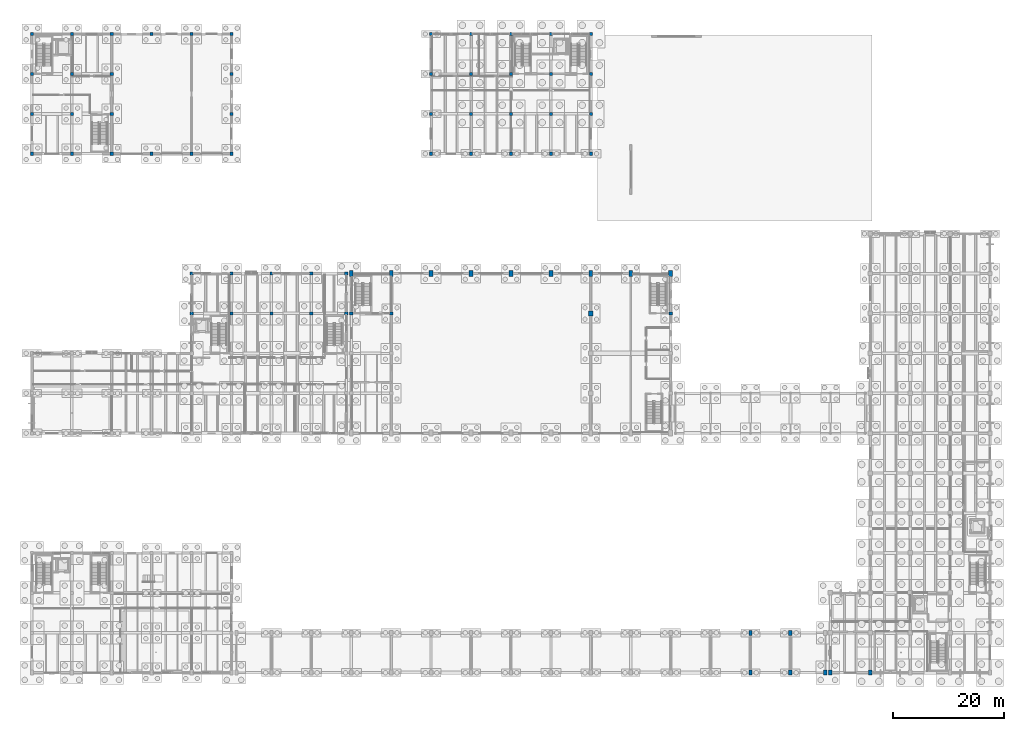
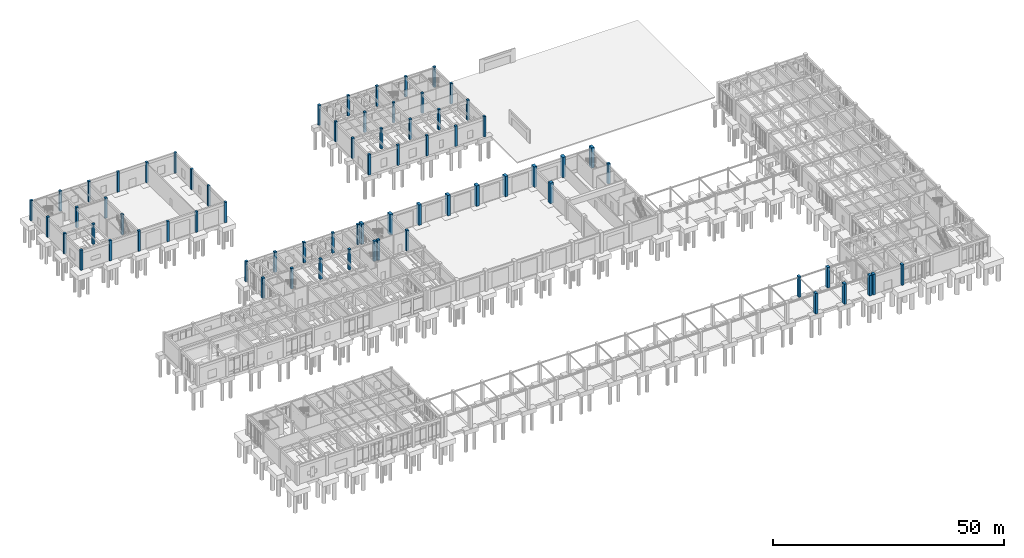
# One storey, part 13 of 93: 70 columns.
"""IFC4 building model written with IfcOpenShell, lengths in metres."""

from ifc_helpers import new_model, si_unit, direction, frame, origin, origin_2d, place, context, subcontext, project, spatial, rectangle, extrude, material, material_profile, profile_set, type_object, element, save


model = new_model("IFC4")

# Units and contexts
model_context = context("Model", 3, precision=1e-05, world=origin(), true_north=direction((0.0, 1.0)))
body_context = subcontext(model_context, "Body", "Model", "MODEL_VIEW")
ifc_project = project(units=[si_unit("LENGTHUNIT", "METRE"), si_unit("AREAUNIT", "SQUARE_METRE"), si_unit("VOLUMEUNIT", "CUBIC_METRE"), si_unit("PLANEANGLEUNIT", "RADIAN"), si_unit("MASSUNIT", "GRAM", prefix="KILO")], contexts=[model_context])

# Site, building, storey
site_placement = place(None, origin())
site = spatial("IfcSite", under=ifc_project, at=site_placement, CompositionType="ELEMENT")
building_placement = place(site_placement, origin())
building = spatial("IfcBuilding", under=site, at=building_placement, Name="Koriwan Promenade Central Fire Station", CompositionType="ELEMENT")
storey_placement = place(building_placement, origin())
storey = spatial("IfcBuildingStorey", under=building, at=storey_placement, Name="L00", CompositionType="ELEMENT", Elevation=0.0)

# Columns
ifc_material = material(Name="Concrete C40/50", Category="concrete")
ifc_material_profile_1 = material_profile(ifc_material, rectangle(XDim=0.550048828125, YDim=0.550048828125, at=origin_2d()), Name="RC-COL-550x550")
ifc_profile_set_1 = profile_set([ifc_material_profile_1], Name="Concrete C40/50")
column_type_1 = type_object("IfcColumnType", Name="Column_RC-COL-550x550", PredefinedType="COLUMN", material=ifc_profile_set_1)
for number, where, z_axis, x_axis, name in (
    (1, (72.0, 93.60009765625, 0.0), (0.0, 0.0, 1.0), (1.0, 0.0, 0.0), "V2 L00 column (72.0, 93.6)"),
    (2, (72.0, 100.800048828125, 0.0), (0.0, 0.0, 1.0), (1.0, 0.0, 0.0), "V2 L00 column (72.0, 100.8)"),
    (3, (72.0, 108.0, 0.0), (0.0, 0.0, 1.0), (1.0, 0.0, 0.0), "V2 L00 column (72.0, 108.0)"),
    (4, (72.0, 115.199951171875, 0.0), (0.0, 0.0, 1.0), (1.0, 0.0, 0.0), "V2 L00 column (72.0, 115.2)"),
    (5, (79.199951171875, 93.60009765625, 0.0), (0.0, 0.0, 1.0), (1.0, 0.0, 0.0), "V2 L00 column (79.2, 93.6)"),
    (6, (79.199951171875, 100.800048828125, 0.0), (0.0, 0.0, 1.0), (1.0, 0.0, 0.0), "V2 L00 column (79.2, 100.8)"),
    (7, (79.199951171875, 108.0, 0.0), (0.0, 0.0, 1.0), (1.0, 0.0, 0.0), "V2 L00 column (79.2, 108.0)"),
    (8, (79.199951171875, 115.199951171875, 0.0), (0.0, 0.0, 1.0), (1.0, 0.0, 0.0), "V2 L00 column (79.2, 115.2)"),
    (9, (86.39990234375, 93.60009765625, 0.0), (0.0, 0.0, 1.0), (1.0, 0.0, 0.0), "V2 L00 column (86.4, 93.6)"),
    (10, (86.39990234375, 100.800048828125, 0.0), (0.0, 0.0, 1.0), (1.0, 0.0, 0.0), "V2 L00 column (86.4, 100.8)"),
    (11, (86.39990234375, 108.0, 0.0), (0.0, 0.0, 1.0), (1.0, 0.0, 0.0), "V2 L00 column (86.4, 108.0)"),
    (12, (86.39990234375, 115.199951171875, 0.0), (0.0, 0.0, 1.0), (1.0, 0.0, 0.0), "V2 L00 column (86.4, 115.2)"),
    (13, (93.60009765625, 93.60009765625, 0.0), (0.0, 0.0, 1.0), (1.0, 0.0, 0.0), "V2 L00 column (93.6, 93.6)"),
    (14, (93.60009765625, 100.800048828125, 0.0), (0.0, 0.0, 1.0), (1.0, 0.0, 0.0), "V2 L00 column (93.6, 100.8)"),
    (15, (93.60009765625, 108.0, 0.0), (0.0, 0.0, 1.0), (1.0, 0.0, 0.0), "V2 L00 column (93.6, 108.0)"),
    (16, (93.60009765625, 115.199951171875, 0.0), (0.0, 0.0, 1.0), (1.0, 0.0, 0.0), "V2 L00 column (93.6, 115.2)"),
    (17, (100.800048828125, 93.60009765625, 0.0), (0.0, 0.0, 1.0), (1.0, 0.0, 0.0), "V2 L00 column (100.8, 93.6)"),
    (18, (100.800048828125, 100.800048828125, 0.0), (0.0, 0.0, 1.0), (1.0, 0.0, 0.0), "V2 L00 column (100.8, 100.8)"),
    (19, (100.800048828125, 108.0, 0.0), (0.0, 0.0, 1.0), (1.0, 0.0, 0.0), "V2 L00 column (100.8, 108.0)"),
    (20, (100.800048828125, 115.199951171875, 0.0), (0.0, 0.0, 1.0), (1.0, 0.0, 0.0), "V2 L00 column (100.8, 115.2)"),
    (21, (0.0, 93.60009765625, 0.0), (0.0, 0.0, 1.0), (1.0, 0.0, 0.0), "V6 L00 column (0.0, 93.6)"),
    (22, (0.0, 100.800048828125, 0.0), (0.0, 0.0, 1.0), (1.0, 0.0, 0.0), "V6 L00 column (0.0, 100.8)"),
    (23, (0.0, 108.0, 0.0), (0.0, 0.0, 1.0), (1.0, 0.0, 0.0), "V6 L00 column (0.0, 108.0)"),
    (24, (0.0, 115.199951171875, 0.0), (0.0, 0.0, 1.0), (1.0, 0.0, 0.0), "V6 L00 column (0.0, 115.2)"),
    (25, (7.199951171875, 93.60009765625, 0.0), (0.0, 0.0, 1.0), (1.0, 0.0, 0.0), "V6 L00 column (7.2, 93.6)"),
    (26, (7.199951171875, 100.800048828125, 0.0), (0.0, 0.0, 1.0), (1.0, 0.0, 0.0), "V6 L00 column (7.2, 100.8)"),
    (27, (7.199951171875, 108.0, 0.0), (0.0, 0.0, 1.0), (1.0, 0.0, 0.0), "V6 L00 column (7.2, 108.0)"),
    (28, (7.199951171875, 115.199951171875, 0.0), (0.0, 0.0, 1.0), (1.0, 0.0, 0.0), "V6 L00 column (7.2, 115.2)"),
    (29, (14.39990234375, 93.60009765625, 0.0), (0.0, 0.0, 1.0), (1.0, 0.0, 0.0), "V6 L00 column (14.4, 93.6)"),
    (30, (14.39990234375, 100.800048828125, 0.0), (0.0, 0.0, 1.0), (1.0, 0.0, 0.0), "V6 L00 column (14.4, 100.8)"),
    (31, (14.39990234375, 108.0, 0.0), (0.0, 0.0, 1.0), (1.0, 0.0, 0.0), "V6 L00 column (14.4, 108.0)"),
    (32, (14.39990234375, 115.199951171875, 0.0), (0.0, 0.0, 1.0), (1.0, 0.0, 0.0), "V6 L00 column (14.4, 115.2)"),
    (33, (21.60009765625, 93.60009765625, 0.0), (0.0, 0.0, 1.0), (1.0, 0.0, 0.0), "V6 L00 column (21.6, 93.6)"),
    (34, (21.60009765625, 115.199951171875, 0.0), (0.0, 0.0, 1.0), (1.0, 0.0, 0.0), "V6 L00 column (21.6, 115.2)"),
    (35, (28.800048828125, 93.60009765625, 0.0), (0.0, 0.0, 1.0), (1.0, 0.0, 0.0), "V6 L00 column (28.8, 93.6)"),
    (36, (28.800048828125, 115.199951171875, 0.0), (0.0, 0.0, 1.0), (1.0, 0.0, 0.0), "V6 L00 column (28.8, 115.2)"),
    (37, (36.0, 93.60009765625, 0.0), (0.0, 0.0, 1.0), (1.0, 0.0, 0.0), "V6 L00 column (36.0, 93.6)"),
    (38, (36.0, 100.800048828125, 0.0), (0.0, 0.0, 1.0), (1.0, 0.0, 0.0), "V6 L00 column (36.0, 100.8)"),
    (39, (36.0, 108.0, 0.0), (0.0, 0.0, 1.0), (1.0, 0.0, 0.0), "V6 L00 column (36.0, 108.0)"),
    (40, (36.0, 115.199951171875, 0.0), (0.0, 0.0, 1.0), (1.0, 0.0, 0.0), "V6 L00 column (36.0, 115.2)"),
):
    element("IfcColumn", number, at=place(storey_placement, frame(where, z_axis=z_axis, x_axis=x_axis)), inside=storey, type_object=column_type_1, Name=name, PredefinedType="COLUMN", context=body_context, shape_type="SweptSolid", body=[
        extrude(rectangle(XDim=0.550048828125, YDim=0.550048828125, at=origin_2d()), origin(), (0.0, 0.0, 1.0), 5.39990234375),
    ])
ifc_material_profile_2 = material_profile(ifc_material, rectangle(XDim=0.60009765625, YDim=0.60009765625, at=origin_2d()), Name="RC-COL-600x600")
ifc_profile_set_2 = profile_set([ifc_material_profile_2], Name="Concrete C40/50")
column_type_2 = type_object("IfcColumnType", Name="Column_RC-COL-600x600", PredefinedType="COLUMN", material=ifc_profile_set_2)
for number, where, z_axis, x_axis, name in (
    (41, (57.60009765625, 64.800048828125, 0.0), (0.0, 0.0, 1.0), (1.0, 0.0, 0.0), "V1 L00 column (57.6, 64.8)"),
    (42, (64.800048828125, 64.800048828125, 0.0), (0.0, 0.0, 1.0), (1.0, 0.0, 0.0), "V1 L00 column (64.8, 64.8)"),
    (43, (115.199951171875, 64.800048828125, 0.0), (0.0, 0.0, 1.0), (1.0, 0.0, 0.0), "V1 L00 column (115.2, 64.8)"),
    (44, (28.800048828125, 64.800048828125, 0.0), (0.0, 0.0, 1.0), (1.0, 0.0, 0.0), "V4 L00 column (28.8, 64.8)"),
    (45, (28.800048828125, 72.0, 0.0), (0.0, 0.0, 1.0), (1.0, 0.0, 0.0), "V4 L00 column (28.8, 72.0)"),
    (46, (36.0, 64.800048828125, 0.0), (0.0, 0.0, 1.0), (1.0, 0.0, 0.0), "V4 L00 column (36.0, 64.8)"),
    (47, (36.0, 72.0, 0.0), (0.0, 0.0, 1.0), (1.0, 0.0, 0.0), "V4 L00 column (36.0, 72.0)"),
    (48, (43.199951171875, 64.800048828125, 0.0), (0.0, 0.0, 1.0), (1.0, 0.0, 0.0), "V4 L00 column (43.2, 64.8)"),
    (49, (43.199951171875, 72.0, 0.0), (0.0, 0.0, 1.0), (1.0, 0.0, 0.0), "V4 L00 column (43.2, 72.0)"),
    (50, (50.39990234375, 64.800048828125, 0.0), (0.0, 0.0, 1.0), (1.0, 0.0, 0.0), "V4 L00 column (50.4, 64.8)"),
    (51, (50.39990234375, 72.0, 0.0), (0.0, 0.0, 1.0), (1.0, 0.0, 0.0), "V4 L00 column (50.4, 72.0)"),
    (52, (56.699951171875, 64.800048828125, 0.0), (0.0, 0.0, 1.0), (1.0, 0.0, 0.0), "V4 L00 column (56.7, 64.8)"),
    (53, (56.699951171875, 72.0, 0.0), (0.0, 0.0, 1.0), (1.0, 0.0, 0.0), "V4 L00 column (56.7, 72.0)"),
):
    element("IfcColumn", number, at=place(storey_placement, frame(where, z_axis=z_axis, x_axis=x_axis)), inside=storey, type_object=column_type_2, Name=name, PredefinedType="COLUMN", context=body_context, shape_type="SweptSolid", body=[
        extrude(rectangle(XDim=0.60009765625, YDim=0.60009765625, at=origin_2d()), origin(), (0.0, 0.0, 1.0), 5.39990234375),
    ])
ifc_material_profile_3 = material_profile(ifc_material, rectangle(XDim=0.85009765625, YDim=0.85009765625, at=origin_2d()), Name="RC-COL-850x850")
ifc_profile_set_3 = profile_set([ifc_material_profile_3], Name="Concrete C40/50")
column_type_3 = type_object("IfcColumnType", Name="Column_RC-COL-850x850", PredefinedType="COLUMN", material=ifc_profile_set_3)
column_placement = place(storey_placement, frame((100.800048828125, 64.800048828125, 0.0), z_axis=(0.0, 0.0, 1.0), x_axis=(1.0, 0.0, 0.0)))
element("IfcColumn", 54, at=column_placement, inside=storey, type_object=column_type_3, Name="V1 L00 column (100.8, 64.8)", PredefinedType="COLUMN", context=body_context, shape_type="SweptSolid", body=[
    extrude(rectangle(XDim=0.85009765625, YDim=0.85009765625, at=origin_2d()), origin(), (0.0, 0.0, 1.0), 5.39990234375),
])
ifc_material_profile_4 = material_profile(ifc_material, rectangle(XDim=0.60009765625, YDim=0.89990234375, at=origin_2d()), Name="RC-PIL-600x900")
ifc_profile_set_4 = profile_set([ifc_material_profile_4], Name="Concrete C40/50")
column_type_4 = type_object("IfcColumnType", Name="Column_RC-PIL-600x900", PredefinedType="PILASTER", material=ifc_profile_set_4)
for number, where, z_axis, x_axis, name in (
    (55, (144.0, 0.0, 0.0), (0.0, 0.0, 1.0), (1.0, 0.0, 0.0), "V5 L00 column (144.0, 0.0)"),
    (56, (151.199951171875, 0.0, 0.0), (0.0, 0.0, 1.0), (1.0, 0.0, 0.0), "V5 L00 column (151.2, 0.0)"),
    (57, (129.60009765625, 0.0, 0.0), (0.0, 0.0, 1.0), (1.0, 0.0, 0.0), "COL_SOUTH L00 pier (129.6, 0.0)"),
    (58, (129.60009765625, 7.199951171875, 0.0), (0.0, 0.0, 1.0), (1.0, 0.0, 0.0), "COL_SOUTH L00 pier (129.6, 7.2)"),
    (59, (136.800048828125, 0.0, 0.0), (0.0, 0.0, 1.0), (1.0, 0.0, 0.0), "COL_SOUTH L00 pier (136.8, 0.0)"),
    (60, (136.800048828125, 7.199951171875, 0.0), (0.0, 0.0, 1.0), (1.0, 0.0, 0.0), "COL_SOUTH L00 pier (136.8, 7.2)"),
    (61, (143.10009765625, 0.0, 0.0), (0.0, 0.0, 1.0), (1.0, 0.0, 0.0), "COL_SOUTH L00 pier (143.1, 0.0)"),
):
    element("IfcColumn", number, at=place(storey_placement, frame(where, z_axis=z_axis, x_axis=x_axis)), inside=storey, type_object=column_type_4, Name=name, PredefinedType="PILASTER", context=body_context, shape_type="SweptSolid", body=[
        extrude(rectangle(XDim=0.60009765625, YDim=0.89990234375, at=origin_2d()), origin(), (0.0, 0.0, 1.0), 5.39990234375),
    ])
ifc_material_profile_5 = material_profile(ifc_material, rectangle(XDim=0.699951171875, YDim=1.10009765625, at=origin_2d()), Name="RC-PIL-700x1100")
ifc_profile_set_5 = profile_set([ifc_material_profile_5], Name="Concrete C40/50")
column_type_5 = type_object("IfcColumnType", Name="Column_RC-PIL-700x1100", PredefinedType="PILASTER", material=ifc_profile_set_5)
for number, where, z_axis, x_axis, name in (
    (62, (57.60009765625, 72.0, 0.0), (0.0, 0.0, 1.0), (1.0, 0.0, 0.0), "V1 L00 column (57.6, 72.0)"),
    (63, (64.800048828125, 72.0, 0.0), (0.0, 0.0, 1.0), (1.0, 0.0, 0.0), "V1 L00 column (64.8, 72.0)"),
    (64, (72.0, 72.0, 0.0), (0.0, 0.0, 1.0), (1.0, 0.0, 0.0), "V1 L00 column (72.0, 72.0)"),
    (65, (79.199951171875, 72.0, 0.0), (0.0, 0.0, 1.0), (1.0, 0.0, 0.0), "V1 L00 column (79.2, 72.0)"),
    (66, (86.39990234375, 72.0, 0.0), (0.0, 0.0, 1.0), (1.0, 0.0, 0.0), "V1 L00 column (86.4, 72.0)"),
    (67, (93.60009765625, 72.0, 0.0), (0.0, 0.0, 1.0), (1.0, 0.0, 0.0), "V1 L00 column (93.6, 72.0)"),
    (68, (100.800048828125, 72.0, 0.0), (0.0, 0.0, 1.0), (1.0, 0.0, 0.0), "V1 L00 column (100.8, 72.0)"),
    (69, (108.0, 72.0, 0.0), (0.0, 0.0, 1.0), (1.0, 0.0, 0.0), "V1 L00 column (108.0, 72.0)"),
    (70, (115.199951171875, 72.0, 0.0), (0.0, 0.0, 1.0), (1.0, 0.0, 0.0), "V1 L00 column (115.2, 72.0)"),
):
    element("IfcColumn", number, at=place(storey_placement, frame(where, z_axis=z_axis, x_axis=x_axis)), inside=storey, type_object=column_type_5, Name=name, PredefinedType="PILASTER", context=body_context, shape_type="SweptSolid", body=[
        extrude(rectangle(XDim=0.699951171875, YDim=1.10009765625, at=origin_2d()), origin(), (0.0, 0.0, 1.0), 5.39990234375),
    ])

save(model, "model.ifc")
